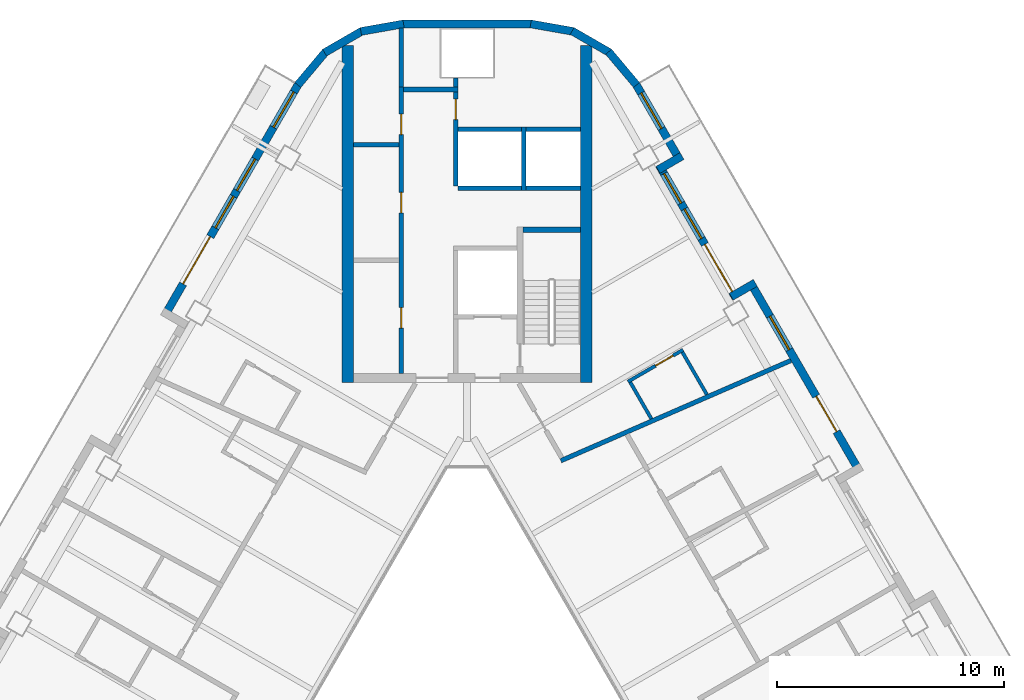
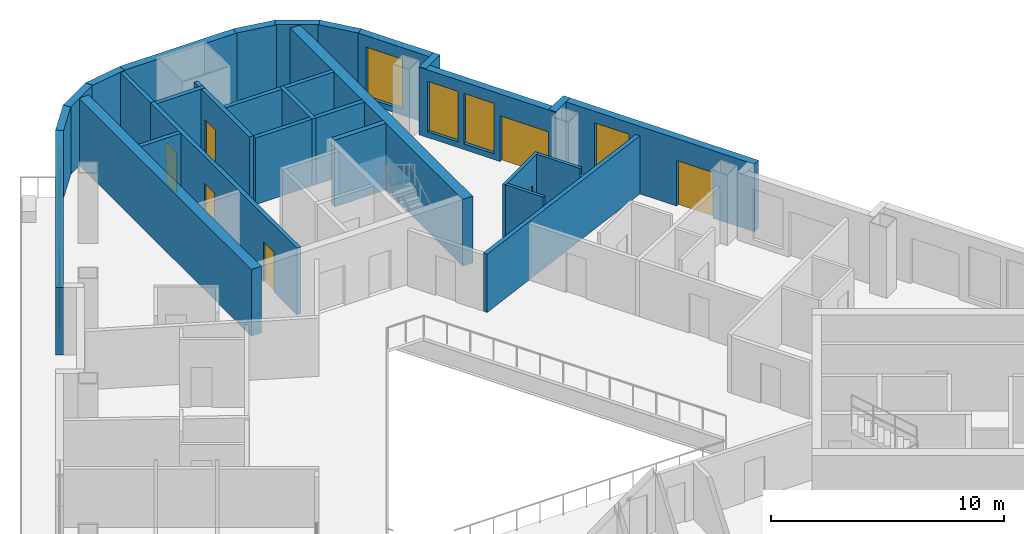
# One storey, part 7 of 14: 31 walls, 8 doors, 7 windows, 15 openings.
"""IFC4 building model written with IfcOpenShell, lengths in metres."""

from ifc_helpers import new_model, si_unit, direction, frame, frame_2d, origin, place, context, subcontext, project, spatial, rectangle, extrude, material, layer, layer_set, type_object, element, fill, save


model = new_model("IFC4")

# Units and contexts
model_context = context("Model", 3, precision=1e-05, world=origin(), true_north=direction((0.0, 1.0)))
body_context = subcontext(model_context, "Body", "Model", "MODEL_VIEW")
ifc_project = project(units=[si_unit("LENGTHUNIT", "METRE"), si_unit("AREAUNIT", "SQUARE_METRE"), si_unit("VOLUMEUNIT", "CUBIC_METRE"), si_unit("PLANEANGLEUNIT", "RADIAN"), si_unit("MASSUNIT", "GRAM", prefix="KILO")], contexts=[model_context])

# Site, building, storey
site_placement = place(None, origin())
site = spatial("IfcSite", under=ifc_project, at=site_placement, CompositionType="ELEMENT")
building_placement = place(site_placement, origin())
building = spatial("IfcBuilding", under=site, at=building_placement, Name="Apuvela Tower Hotel", CompositionType="ELEMENT")
storey_placement = place(building_placement, frame((0.0, 0.0, 157.699951171875)))
storey = spatial("IfcBuildingStorey", under=building, at=storey_placement, Name="L37", CompositionType="ELEMENT", Elevation=157.699951171875)

# Walls
ifc_material_1 = material(Name="Concrete C50/60", Category="concrete")
ifc_layer_1 = layer(ifc_material_1, 0.5)
ifc_layer_set_1 = layer_set([ifc_layer_1], Name="COR-WALL-CORE-500")
wall_type_1 = type_object("IfcWallType", Name="COR-WALL-CORE-500", PredefinedType="SHEAR", material=ifc_layer_set_1)
for number, where, z_axis, x_axis, name in (
    (1, (5.25, 12.89990234375, 0.0), (0.0, 0.0, 1.0), (0.0, 1.0, 0.0), "Core wall N"),
    (2, (-5.25, 12.89990234375, 0.0), (0.0, 0.0, 1.0), (0.0, 1.0, 0.0), "Core wall N"),
):
    element("IfcWall", number, at=place(storey_placement, frame(where, z_axis=z_axis, x_axis=x_axis)), inside=storey, type_object=wall_type_1, Name=name, PredefinedType="SHEAR", context=body_context, shape_type="SweptSolid", body=[
        extrude(rectangle(XDim=14.8369140625, YDim=0.5, at=frame_2d((7.41845703125, 0.0))), origin(), (0.0, 0.0, 1.0), 3.5),
    ])
ifc_material_2 = material(Name="Blockwork 200 mm plastered", Category="masonry")
ifc_layer_2 = layer(ifc_material_2, 0.199951171875)
ifc_layer_set_2 = layer_set([ifc_layer_2], Name="COR-WALL-PART-200")
wall_type_2 = type_object("IfcWallType", Name="COR-WALL-PART-200", PredefinedType="PARTITIONING", material=ifc_layer_set_2)
wall_1_placement = place(storey_placement, frame((5.0, 21.449951171875, 0.0), z_axis=(0.0, 0.0, 1.0), x_axis=(-1.0, 0.0, 0.0)))
element("IfcWall", 3, at=wall_1_placement, inside=storey, type_object=wall_type_2, Name="Partition N", PredefinedType="PARTITIONING", context=body_context, shape_type="SweptSolid", body=[
    extrude(rectangle(XDim=2.39990234375, YDim=0.199951171875, at=frame_2d((1.199951171875, 0.0))), origin(), (0.0, 0.0, 1.0), 3.5),
])
wall_2_placement = place(storey_placement, frame((2.39990234375, 21.449951171875, 0.0), z_axis=(0.0, 0.0, 1.0), x_axis=(-1.0, 0.0, 0.0)))
element("IfcWall", 4, at=wall_2_placement, inside=storey, type_object=wall_type_2, Name="Partition N", PredefinedType="PARTITIONING", context=body_context, shape_type="SweptSolid", body=[
    extrude(rectangle(XDim=2.7998046875, YDim=0.199951171875, at=frame_2d((1.39990234375, 0.0))), origin(), (0.0, 0.0, 1.0), 3.5),
])

# Wall, openings, doors
ifc_layer_3 = layer(ifc_material_1, 0.199951171875)
ifc_layer_set_3 = layer_set([ifc_layer_3], Name="COR-WALL-SHAFT-200")
wall_type_3 = type_object("IfcWallType", Name="COR-WALL-SHAFT-200", PredefinedType="SHEAR", material=ifc_layer_set_3)
wall_3_placement = place(storey_placement, frame((-2.89990234375, 13.300048828125, 0.0), z_axis=(0.0, 0.0, 1.0), x_axis=(0.0, 1.0, 0.0)))
wall_3 = element("IfcWall", 5, at=wall_3_placement, inside=storey, type_object=wall_type_3, Name="Shaft wall N", PredefinedType="SHEAR", context=body_context, shape_type="SweptSolid", body=[
    extrude(rectangle(XDim=12.599853515625, YDim=0.199951171875, at=frame_2d((6.2998046875, 0.0))), origin(), (0.0, 0.0, 1.0), 3.5),
])
opening_1_placement = place(wall_3_placement, frame((1.989990234375, 0.0, 0.0)))
opening_1 = element("IfcOpeningElement", 6, at=opening_1_placement, cuts=wall_3, Name="Opening N-RE1", PredefinedType="OPENING", context=body_context, shape_type="SweptSolid", body=[
    extrude(rectangle(XDim=0.89990234375, YDim=2.10009765625, at=frame_2d((0.449951171875, 1.050048828125))), frame((0.0, 0.10986328125, 0.0), z_axis=(0.0, -1.0, 0.0), x_axis=(1.0, 0.0, 0.0)), (0.0, 0.0, 1.0), 0.219970703125),
])
opening_2_placement = place(wall_3_placement, frame((7.070068359375, 0.0, 0.0)))
opening_2 = element("IfcOpeningElement", 7, at=opening_2_placement, cuts=wall_3, Name="Opening N-RE3", PredefinedType="OPENING", context=body_context, shape_type="SweptSolid", body=[
    extrude(rectangle(XDim=0.89990234375, YDim=2.10009765625, at=frame_2d((0.449951171875, 1.050048828125))), frame((0.0, 0.10986328125, 0.0), z_axis=(0.0, -1.0, 0.0), x_axis=(1.0, 0.0, 0.0)), (0.0, 0.0, 1.0), 0.219970703125),
])
opening_3_placement = place(wall_3_placement, frame((10.510009765625, 0.0, 0.0)))
opening_3 = element("IfcOpeningElement", 8, at=opening_3_placement, cuts=wall_3, Name="Opening N-REP", PredefinedType="OPENING", context=body_context, shape_type="SweptSolid", body=[
    extrude(rectangle(XDim=0.89990234375, YDim=2.10009765625, at=frame_2d((0.449951171875, 1.050048828125))), frame((0.0, 0.10986328125, 0.0), z_axis=(0.0, -1.0, 0.0), x_axis=(1.0, 0.0, 0.0)), (0.0, 0.0, 1.0), 0.219970703125),
])
ifc_material_3 = material(Name="Steel fire door, powder coated", Category="steel")
door_type_1 = type_object("IfcDoorType", Name="COR-DR-900", OperationType="NOTDEFINED", PredefinedType="DOOR", material=ifc_material_3)
door_1_placement = place(opening_1_placement, origin())
door_1 = element("IfcDoor", 9, at=door_1_placement, inside=storey, type_object=door_type_1, Name="Store door N-RE1", OperationType="SINGLE_SWING_LEFT", OverallHeight=2.10009765625, OverallWidth=0.89990234375, PredefinedType="DOOR", context=body_context, shape_type="SweptSolid", body=[
    extrude(rectangle(XDim=0.89990234375, YDim=2.10009765625, at=frame_2d((0.449951171875, 1.050048828125))), frame((0.0, 0.02490234375, 0.0), z_axis=(0.0, -1.0, 0.0), x_axis=(1.0, 0.0, 0.0)), (0.0, 0.0, 1.0), 0.050048828125),
])
fill(opening_1, door_1)
door_2_placement = place(opening_2_placement, origin())
door_2 = element("IfcDoor", 10, at=door_2_placement, inside=storey, type_object=door_type_1, Name="Store door N-RE3", OperationType="SINGLE_SWING_LEFT", OverallHeight=2.10009765625, OverallWidth=0.89990234375, PredefinedType="DOOR", context=body_context, shape_type="SweptSolid", body=[
    extrude(rectangle(XDim=0.89990234375, YDim=2.10009765625, at=frame_2d((0.449951171875, 1.050048828125))), frame((0.0, 0.02490234375, 0.0), z_axis=(0.0, -1.0, 0.0), x_axis=(1.0, 0.0, 0.0)), (0.0, 0.0, 1.0), 0.050048828125),
])
fill(opening_2, door_2)
door_3_placement = place(opening_3_placement, origin())
door_3 = element("IfcDoor", 11, at=door_3_placement, inside=storey, type_object=door_type_1, Name="Store door N-REP", OperationType="SINGLE_SWING_RIGHT", OverallHeight=2.10009765625, OverallWidth=0.89990234375, PredefinedType="DOOR", context=body_context, shape_type="SweptSolid", body=[
    extrude(rectangle(XDim=0.89990234375, YDim=2.10009765625, at=frame_2d((0.449951171875, 1.050048828125))), frame((0.0, 0.02490234375, 0.0), z_axis=(0.0, -1.0, 0.0), x_axis=(1.0, 0.0, 0.0)), (0.0, 0.0, 1.0), 0.050048828125),
])
fill(opening_3, door_3)

# Wall
wall_4_placement = place(storey_placement, frame((-0.39990234375, 25.800048828125, 0.0), z_axis=(0.0, 0.0, 1.0), x_axis=(-1.0, 0.0, 0.0)))
element("IfcWall", 12, at=wall_4_placement, inside=storey, type_object=wall_type_3, Name="Shaft wall N", PredefinedType="SHEAR", context=body_context, shape_type="SweptSolid", body=[
    extrude(rectangle(XDim=2.400146484375, YDim=0.199951171875, at=frame_2d((1.2001953125, 0.0))), origin(), (0.0, 0.0, 1.0), 3.5),
])

# Wall, opening, door
wall_5_placement = place(storey_placement, frame((-0.5, 21.550048828125, 0.0), z_axis=(0.0, 0.0, 1.0), x_axis=(0.0, 1.0, 0.0)))
wall_5 = element("IfcWall", 13, at=wall_5_placement, inside=storey, type_object=wall_type_3, Name="Shaft wall N", PredefinedType="SHEAR", context=body_context, shape_type="SweptSolid", body=[
    extrude(rectangle(XDim=4.14990234375, YDim=0.199951171875, at=frame_2d((2.074951171875, 0.0))), origin(), (0.0, 0.0, 1.0), 3.5),
])
opening_4_placement = place(wall_5_placement, frame((2.925048828125, 0.0, 0.0)))
opening_4 = element("IfcOpeningElement", 14, at=opening_4_placement, cuts=wall_5, Name="Opening N-RSP", PredefinedType="OPENING", context=body_context, shape_type="SweptSolid", body=[
    extrude(rectangle(XDim=0.89990234375, YDim=2.10009765625, at=frame_2d((0.449951171875, 1.050048828125))), frame((0.0, 0.10986328125, 0.0), z_axis=(0.0, -1.0, 0.0), x_axis=(1.0, 0.0, 0.0)), (0.0, 0.0, 1.0), 0.219970703125),
])
door_4_placement = place(opening_4_placement, frame((0.89990234375, 0.0, 0.0), z_axis=(0.0, 0.0, 1.0), x_axis=(-1.0, 0.0, 0.0)))
door_4 = element("IfcDoor", 15, at=door_4_placement, inside=storey, type_object=door_type_1, Name="Store door N-RSP", OperationType="SINGLE_SWING_LEFT", OverallHeight=2.10009765625, OverallWidth=0.89990234375, PredefinedType="DOOR", context=body_context, shape_type="SweptSolid", body=[
    extrude(rectangle(XDim=0.89990234375, YDim=2.10009765625, at=frame_2d((0.449951171875, 1.050048828125))), frame((0.0, 0.02490234375, 0.0), z_axis=(0.0, -1.0, 0.0), x_axis=(1.0, 0.0, 0.0)), (0.0, 0.0, 1.0), 0.050048828125),
])
fill(opening_4, door_4)

# Walls
wall_6_placement = place(storey_placement, frame((-3.0, 23.360107421875, 0.0), z_axis=(0.0, 0.0, 1.0), x_axis=(-1.0, 0.0, 0.0)))
element("IfcWall", 16, at=wall_6_placement, inside=storey, type_object=wall_type_3, Name="Shaft wall N", PredefinedType="SHEAR", context=body_context, shape_type="SweptSolid", body=[
    extrude(rectangle(XDim=2.0, YDim=0.199951171875, at=frame_2d((1.0, 0.0))), origin(), (0.0, 0.0, 1.0), 3.5),
])
wall_7_placement = place(storey_placement, frame((-0.5, 25.89990234375, 0.0), z_axis=(0.0, 0.0, 1.0), x_axis=(0.0, 1.0, 0.0)))
element("IfcWall", 17, at=wall_7_placement, inside=storey, type_object=wall_type_3, Name="Shaft wall N", PredefinedType="SHEAR", context=body_context, shape_type="SweptSolid", body=[
    extrude(rectangle(XDim=0.400146484375, YDim=0.199951171875, at=frame_2d((0.2001953125, 0.0))), origin(), (0.0, 0.0, 1.0), 3.5),
])
wall_8_placement = place(storey_placement, frame((-2.89990234375, 25.89990234375, 0.0), z_axis=(0.0, 0.0, 1.0), x_axis=(0.0, 1.0, 0.0)))
element("IfcWall", 18, at=wall_8_placement, inside=storey, type_object=wall_type_3, Name="Shaft wall N", PredefinedType="SHEAR", context=body_context, shape_type="SweptSolid", body=[
    extrude(rectangle(XDim=2.60009765625, YDim=0.199951171875, at=frame_2d((1.300048828125, 0.0))), origin(), (0.0, 0.0, 1.0), 3.5),
])
wall_9_placement = place(storey_placement, frame((2.5, 21.35009765625, 0.0), z_axis=(0.0, 0.0, 1.0), x_axis=(0.0, 1.0, 0.0)))
element("IfcWall", 19, at=wall_9_placement, inside=storey, type_object=wall_type_3, Name="Shaft wall N", PredefinedType="SHEAR", context=body_context, shape_type="SweptSolid", body=[
    extrude(rectangle(XDim=2.7998046875, YDim=0.199951171875, at=frame_2d((1.39990234375, 0.0))), origin(), (0.0, 0.0, 1.0), 3.5),
])
wall_10_placement = place(storey_placement, frame((5.0, 24.050048828125, 0.0), z_axis=(0.0, 0.0, 1.0), x_axis=(-1.0, 0.0, 0.0)))
element("IfcWall", 20, at=wall_10_placement, inside=storey, type_object=wall_type_3, Name="Shaft wall N", PredefinedType="SHEAR", context=body_context, shape_type="SweptSolid", body=[
    extrude(rectangle(XDim=2.39990234375, YDim=0.199951171875, at=frame_2d((1.199951171875, 0.0))), origin(), (0.0, 0.0, 1.0), 3.5),
])
wall_11_placement = place(storey_placement, frame((2.39990234375, 24.050048828125, 0.0), z_axis=(0.0, 0.0, 1.0), x_axis=(-1.0, 0.0, 0.0)))
element("IfcWall", 21, at=wall_11_placement, inside=storey, type_object=wall_type_3, Name="Shaft wall N", PredefinedType="SHEAR", context=body_context, shape_type="SweptSolid", body=[
    extrude(rectangle(XDim=2.7998046875, YDim=0.199951171875, at=frame_2d((1.39990234375, 0.0))), origin(), (0.0, 0.0, 1.0), 3.5),
])
ifc_layer_4 = layer(ifc_material_1, 0.25)
ifc_layer_set_4 = layer_set([ifc_layer_4], Name="COR-WALL-STAIR-250")
wall_type_4 = type_object("IfcWallType", Name="COR-WALL-STAIR-250", PredefinedType="SHEAR", material=ifc_layer_set_4)
wall_12_placement = place(storey_placement, frame((5.0, 19.625, 0.0), z_axis=(0.0, 0.0, 1.0), x_axis=(-1.0, 0.0, 0.0)))
element("IfcWall", 22, at=wall_12_placement, inside=storey, type_object=wall_type_4, Name="Stair wall N", PredefinedType="SHEAR", context=body_context, shape_type="SweptSolid", body=[
    extrude(rectangle(XDim=2.550048828125, YDim=0.25, at=frame_2d((1.27490234375, 0.0))), origin(), (0.0, 0.0, 1.0), 3.5),
])

# Wall, openings, door, windows
ifc_material_4 = material(Name="Concrete C40/50, dark pigmented precast panel", Category="concrete")
ifc_layer_5 = layer(ifc_material_4, 0.35009765625)
ifc_layer_set_5 = layer_set([ifc_layer_5], Name="ENV-WALL-350")
wall_type_5 = type_object("IfcWallType", Name="ENV-WALL-350", PredefinedType="SOLIDWALL", material=ifc_layer_set_5)
wall_13_placement = place(storey_placement, frame((-7.440673828125, 26.0224609375, 0.0), z_axis=(0.0, 0.0, 1.0), x_axis=(-0.499992533062, -0.86602971478, 0.0)))
wall_13 = element("IfcWall", 23, at=wall_13_placement, inside=storey, type_object=wall_type_5, Name="External wall L37-01", PredefinedType="SOLIDWALL", context=body_context, shape_type="SweptSolid", body=[
    extrude(rectangle(XDim=11.815673828125, YDim=0.35009765625, at=frame_2d((5.90771484375, 0.0))), origin(), (0.0, 0.0, 1.0), 3.550048828125),
])
opening_5_placement = place(wall_13_placement, frame((0.381103515625, 0.0, 0.300048828125)))
opening_5 = element("IfcOpeningElement", 24, at=opening_5_placement, cuts=wall_13, Name="Opening WN18", PredefinedType="OPENING", context=body_context, shape_type="SweptSolid", body=[
    extrude(rectangle(XDim=1.800048828125, YDim=2.64990234375, at=frame_2d((0.89990234375, 1.324951171875))), frame((0.0, 0.18505859375, 0.0), z_axis=(0.0, -1.0, 0.0), x_axis=(1.0, 0.0, 0.0)), (0.0, 0.0, 1.0), 0.3701171875),
])
opening_6_placement = place(wall_13_placement, frame((7.740478515625, 0.0, 0.0)))
opening_6 = element("IfcOpeningElement", 25, at=opening_6_placement, cuts=wall_13, Name="Opening BD24", PredefinedType="OPENING", context=body_context, shape_type="SweptSolid", body=[
    extrude(rectangle(XDim=2.39990234375, YDim=2.39990234375, at=frame_2d((1.199951171875, 1.199951171875))), frame((0.0, 0.18505859375, 0.0), z_axis=(0.0, -1.0, 0.0), x_axis=(1.0, 0.0, 0.0)), (0.0, 0.0, 1.0), 0.3701171875),
])
opening_7_placement = place(wall_13_placement, frame((3.791015625, 0.0, 0.300048828125)))
opening_7 = element("IfcOpeningElement", 26, at=opening_7_placement, cuts=wall_13, Name="Opening WN16", PredefinedType="OPENING", context=body_context, shape_type="SweptSolid", body=[
    extrude(rectangle(XDim=1.60009765625, YDim=2.64990234375, at=frame_2d((0.800048828125, 1.324951171875))), frame((0.0, 0.18505859375, 0.0), z_axis=(0.0, -1.0, 0.0), x_axis=(1.0, 0.0, 0.0)), (0.0, 0.0, 1.0), 0.3701171875),
])
opening_8_placement = place(wall_13_placement, frame((5.69091796875, 0.0, 0.300048828125)))
opening_8 = element("IfcOpeningElement", 27, at=opening_8_placement, cuts=wall_13, Name="Opening WN16", PredefinedType="OPENING", context=body_context, shape_type="SweptSolid", body=[
    extrude(rectangle(XDim=1.60009765625, YDim=2.64990234375, at=frame_2d((0.800048828125, 1.324951171875))), frame((0.0, 0.18505859375, 0.0), z_axis=(0.0, -1.0, 0.0), x_axis=(1.0, 0.0, 0.0)), (0.0, 0.0, 1.0), 0.3701171875),
])
ifc_material_5 = material(Name="Aluminium 6063-T6, dark bronze anodised frame with dark tinted laminated glass", Category="aluminium")
door_type_2 = type_object("IfcDoorType", Name="ENV-DOOR-BALCONY-2400x2400", OperationType="SLIDING_TO_LEFT", PredefinedType="DOOR", material=ifc_material_5)
door_5_placement = place(opening_6_placement, frame((2.39990234375, 0.0, 0.0), z_axis=(0.0, 0.0, 1.0), x_axis=(-1.0, 0.0, 0.0)))
door_5 = element("IfcDoor", 28, at=door_5_placement, inside=storey, type_object=door_type_2, Name="Balcony door BD24", OperationType="SLIDING_TO_LEFT", OverallHeight=2.39990234375, OverallWidth=2.39990234375, PredefinedType="DOOR", context=body_context, shape_type="SweptSolid", body=[
    extrude(rectangle(XDim=2.39990234375, YDim=2.39990234375, at=frame_2d((1.199951171875, 1.199951171875))), frame((0.0, 0.02490234375, 0.0), z_axis=(0.0, -1.0, 0.0), x_axis=(1.0, 0.0, 0.0)), (0.0, 0.0, 1.0), 0.050048828125),
])
fill(opening_6, door_5)
ifc_material_6 = material(Name="Glass, dark tinted laminated insulated glazing unit", Category="glass")
window_type_1 = type_object("IfcWindowType", Name="ENV-WIN-1600x2650", PartitioningType="SINGLE_PANEL", PredefinedType="WINDOW", material=ifc_material_6)
window_1_placement = place(opening_7_placement, origin())
window_1 = element("IfcWindow", 29, at=window_1_placement, inside=storey, type_object=window_type_1, Name="Window WN16", OverallHeight=2.64990234375, OverallWidth=1.60009765625, PartitioningType="SINGLE_PANEL", PredefinedType="WINDOW", context=body_context, shape_type="SweptSolid", body=[
    extrude(rectangle(XDim=1.60009765625, YDim=2.64990234375, at=frame_2d((0.800048828125, 1.324951171875))), frame((0.0, 0.030029296875, 0.0), z_axis=(0.0, -1.0, 0.0), x_axis=(1.0, 0.0, 0.0)), (0.0, 0.0, 1.0), 0.06005859375),
])
fill(opening_7, window_1)
window_2_placement = place(opening_8_placement, origin())
window_2 = element("IfcWindow", 30, at=window_2_placement, inside=storey, type_object=window_type_1, Name="Window WN16", OverallHeight=2.64990234375, OverallWidth=1.60009765625, PartitioningType="SINGLE_PANEL", PredefinedType="WINDOW", context=body_context, shape_type="SweptSolid", body=[
    extrude(rectangle(XDim=1.60009765625, YDim=2.64990234375, at=frame_2d((0.800048828125, 1.324951171875))), frame((0.0, 0.030029296875, 0.0), z_axis=(0.0, -1.0, 0.0), x_axis=(1.0, 0.0, 0.0)), (0.0, 0.0, 1.0), 0.06005859375),
])
fill(opening_8, window_2)
window_type_2 = type_object("IfcWindowType", Name="ENV-WIN-1800x2650", PartitioningType="SINGLE_PANEL", PredefinedType="WINDOW", material=ifc_material_6)
window_3_placement = place(opening_5_placement, origin())
window_3 = element("IfcWindow", 31, at=window_3_placement, inside=storey, type_object=window_type_2, Name="Window WN18", OverallHeight=2.64990234375, OverallWidth=1.800048828125, PartitioningType="SINGLE_PANEL", PredefinedType="WINDOW", context=body_context, shape_type="SweptSolid", body=[
    extrude(rectangle(XDim=1.800048828125, YDim=2.64990234375, at=frame_2d((0.89990234375, 1.324951171875))), frame((0.0, 0.030029296875, 0.0), z_axis=(0.0, -1.0, 0.0), x_axis=(1.0, 0.0, 0.0)), (0.0, 0.0, 1.0), 0.06005859375),
])
fill(opening_5, window_3)

# Wall, openings, door, window
wall_14_placement = place(storey_placement, frame((17.298583984375, 8.947998046875, 0.0), z_axis=(0.0, 0.0, 1.0), x_axis=(-0.500010041276, 0.866019606374, 0.0)))
wall_14 = element("IfcWall", 32, at=wall_14_placement, inside=storey, type_object=wall_type_5, Name="External wall L37-37", PredefinedType="SOLIDWALL", context=body_context, shape_type="SweptSolid", body=[
    extrude(rectangle(XDim=9.699951171875, YDim=0.35009765625, at=frame_2d((4.85009765625, 0.0))), origin(), (0.0, 0.0, 1.0), 3.550048828125),
])
opening_9_placement = place(wall_14_placement, frame((2.06201171875, 0.0, 0.0)))
opening_9 = element("IfcOpeningElement", 33, at=opening_9_placement, cuts=wall_14, Name="Opening BD18", PredefinedType="OPENING", context=body_context, shape_type="SweptSolid", body=[
    extrude(rectangle(XDim=1.800048828125, YDim=2.39990234375, at=frame_2d((0.89990234375, 1.199951171875))), frame((0.0, 0.18505859375, 0.0), z_axis=(0.0, -1.0, 0.0), x_axis=(1.0, 0.0, 0.0)), (0.0, 0.0, 1.0), 0.3701171875),
])
opening_10_placement = place(wall_14_placement, frame((6.230224609375, 0.0, 0.300048828125)))
opening_10 = element("IfcOpeningElement", 34, at=opening_10_placement, cuts=wall_14, Name="Opening WN17", PredefinedType="OPENING", context=body_context, shape_type="SweptSolid", body=[
    extrude(rectangle(XDim=1.699951171875, YDim=2.64990234375, at=frame_2d((0.85009765625, 1.324951171875))), frame((0.0, 0.18505859375, 0.0), z_axis=(0.0, -1.0, 0.0), x_axis=(1.0, 0.0, 0.0)), (0.0, 0.0, 1.0), 0.3701171875),
])
door_type_3 = type_object("IfcDoorType", Name="ENV-DOOR-BALCONY-1800x2400", OperationType="SLIDING_TO_LEFT", PredefinedType="DOOR", material=ifc_material_5)
door_6_placement = place(opening_9_placement, frame((1.800048828125, 0.0, 0.0), z_axis=(0.0, 0.0, 1.0), x_axis=(-1.0, 0.0, 0.0)))
door_6 = element("IfcDoor", 35, at=door_6_placement, inside=storey, type_object=door_type_3, Name="Balcony door BD18", OperationType="SLIDING_TO_LEFT", OverallHeight=2.39990234375, OverallWidth=1.800048828125, PredefinedType="DOOR", context=body_context, shape_type="SweptSolid", body=[
    extrude(rectangle(XDim=1.800048828125, YDim=2.39990234375, at=frame_2d((0.89990234375, 1.199951171875))), frame((0.0, 0.02490234375, 0.0), z_axis=(0.0, -1.0, 0.0), x_axis=(1.0, 0.0, 0.0)), (0.0, 0.0, 1.0), 0.050048828125),
])
fill(opening_9, door_6)
window_type_3 = type_object("IfcWindowType", Name="ENV-WIN-1700x2650", PartitioningType="SINGLE_PANEL", PredefinedType="WINDOW", material=ifc_material_6)
window_4_placement = place(opening_10_placement, origin())
window_4 = element("IfcWindow", 36, at=window_4_placement, inside=storey, type_object=window_type_3, Name="Window WN17", OverallHeight=2.64990234375, OverallWidth=1.699951171875, PartitioningType="SINGLE_PANEL", PredefinedType="WINDOW", context=body_context, shape_type="SweptSolid", body=[
    extrude(rectangle(XDim=1.699951171875, YDim=2.64990234375, at=frame_2d((0.85009765625, 1.324951171875))), frame((0.0, 0.030029296875, 0.0), z_axis=(0.0, -1.0, 0.0), x_axis=(1.0, 0.0, 0.0)), (0.0, 0.0, 1.0), 0.06005859375),
])
fill(opening_10, window_4)

# Wall
wall_15_placement = place(storey_placement, frame((12.6875, 17.284423828125, 0.0), z_axis=(0.0, 0.0, 1.0), x_axis=(-0.865955602162, -0.500120880472, 0.0)))
element("IfcWall", 37, at=wall_15_placement, inside=storey, type_object=wall_type_5, Name="External wall L37-38", PredefinedType="SOLIDWALL", context=body_context, shape_type="SweptSolid", body=[
    extrude(rectangle(XDim=1.219970703125, YDim=0.35009765625, at=frame_2d((0.60986328125, 0.0))), origin(), (0.0, 0.0, 1.0), 3.550048828125),
])

# Wall, openings, door, windows
wall_16_placement = place(storey_placement, frame((11.8291015625, 16.621337890625, 0.0), z_axis=(0.0, 0.0, 1.0), x_axis=(-0.500003597184, 0.866023326939, 0.0)))
wall_16 = element("IfcWall", 38, at=wall_16_placement, inside=storey, type_object=wall_type_5, Name="External wall L37-39", PredefinedType="SOLIDWALL", context=body_context, shape_type="SweptSolid", body=[
    extrude(rectangle(XDim=6.740234375, YDim=0.35009765625, at=frame_2d((3.3701171875, 0.0))), origin(), (0.0, 0.0, 1.0), 3.550048828125),
])
opening_11_placement = place(wall_16_placement, frame((0.320068359375, 0.0, 0.0)))
opening_11 = element("IfcOpeningElement", 39, at=opening_11_placement, cuts=wall_16, Name="Opening BD24", PredefinedType="OPENING", context=body_context, shape_type="SweptSolid", body=[
    extrude(rectangle(XDim=2.39990234375, YDim=2.39990234375, at=frame_2d((1.199951171875, 1.199951171875))), frame((0.0, 0.18505859375, 0.0), z_axis=(0.0, -1.0, 0.0), x_axis=(1.0, 0.0, 0.0)), (0.0, 0.0, 1.0), 0.3701171875),
])
opening_12_placement = place(wall_16_placement, frame((3.02001953125, 0.0, 0.300048828125)))
opening_12 = element("IfcOpeningElement", 40, at=opening_12_placement, cuts=wall_16, Name="Opening WN15", PredefinedType="OPENING", context=body_context, shape_type="SweptSolid", body=[
    extrude(rectangle(XDim=1.5, YDim=2.64990234375, at=frame_2d((0.75, 1.324951171875))), frame((0.0, 0.18505859375, 0.0), z_axis=(0.0, -1.0, 0.0), x_axis=(1.0, 0.0, 0.0)), (0.0, 0.0, 1.0), 0.3701171875),
])
opening_13_placement = place(wall_16_placement, frame((4.820068359375, 0.0, 0.300048828125)))
opening_13 = element("IfcOpeningElement", 41, at=opening_13_placement, cuts=wall_16, Name="Opening WN15", PredefinedType="OPENING", context=body_context, shape_type="SweptSolid", body=[
    extrude(rectangle(XDim=1.5, YDim=2.64990234375, at=frame_2d((0.75, 1.324951171875))), frame((0.0, 0.18505859375, 0.0), z_axis=(0.0, -1.0, 0.0), x_axis=(1.0, 0.0, 0.0)), (0.0, 0.0, 1.0), 0.3701171875),
])
door_7_placement = place(opening_11_placement, frame((2.39990234375, 0.0, 0.0), z_axis=(0.0, 0.0, 1.0), x_axis=(-1.0, 0.0, 0.0)))
door_7 = element("IfcDoor", 42, at=door_7_placement, inside=storey, type_object=door_type_2, Name="Balcony door BD24", OperationType="SLIDING_TO_LEFT", OverallHeight=2.39990234375, OverallWidth=2.39990234375, PredefinedType="DOOR", context=body_context, shape_type="SweptSolid", body=[
    extrude(rectangle(XDim=2.39990234375, YDim=2.39990234375, at=frame_2d((1.199951171875, 1.199951171875))), frame((0.0, 0.02490234375, 0.0), z_axis=(0.0, -1.0, 0.0), x_axis=(1.0, 0.0, 0.0)), (0.0, 0.0, 1.0), 0.050048828125),
])
fill(opening_11, door_7)
window_type_4 = type_object("IfcWindowType", Name="ENV-WIN-1500x2650", PartitioningType="SINGLE_PANEL", PredefinedType="WINDOW", material=ifc_material_6)
window_5_placement = place(opening_12_placement, origin())
window_5 = element("IfcWindow", 43, at=window_5_placement, inside=storey, type_object=window_type_4, Name="Window WN15", OverallHeight=2.64990234375, OverallWidth=1.5, PartitioningType="SINGLE_PANEL", PredefinedType="WINDOW", context=body_context, shape_type="SweptSolid", body=[
    extrude(rectangle(XDim=1.5, YDim=2.64990234375, at=frame_2d((0.75, 1.324951171875))), frame((0.0, 0.030029296875, 0.0), z_axis=(0.0, -1.0, 0.0), x_axis=(1.0, 0.0, 0.0)), (0.0, 0.0, 1.0), 0.06005859375),
])
fill(opening_12, window_5)
window_6_placement = place(opening_13_placement, origin())
window_6 = element("IfcWindow", 44, at=window_6_placement, inside=storey, type_object=window_type_4, Name="Window WN15", OverallHeight=2.64990234375, OverallWidth=1.5, PartitioningType="SINGLE_PANEL", PredefinedType="WINDOW", context=body_context, shape_type="SweptSolid", body=[
    extrude(rectangle(XDim=1.5, YDim=2.64990234375, at=frame_2d((0.75, 1.324951171875))), frame((0.0, 0.030029296875, 0.0), z_axis=(0.0, -1.0, 0.0), x_axis=(1.0, 0.0, 0.0)), (0.0, 0.0, 1.0), 0.06005859375),
])
fill(opening_13, window_6)

# Wall
wall_17_placement = place(storey_placement, frame((8.406005859375, 22.26025390625, 0.0), z_axis=(0.0, 0.0, 1.0), x_axis=(0.865955602162, 0.500120880472, 0.0)))
element("IfcWall", 45, at=wall_17_placement, inside=storey, type_object=wall_type_5, Name="External wall L37-40", PredefinedType="SOLIDWALL", context=body_context, shape_type="SweptSolid", body=[
    extrude(rectangle(XDim=1.219970703125, YDim=0.35009765625, at=frame_2d((0.60986328125, 0.0))), origin(), (0.0, 0.0, 1.0), 3.550048828125),
])

# Wall, opening, window
wall_18_placement = place(storey_placement, frame((9.3984375, 22.631103515625, 0.0), z_axis=(0.0, 0.0, 1.0), x_axis=(-0.499954521343, 0.866051659307, 0.0)))
wall_18 = element("IfcWall", 46, at=wall_18_placement, inside=storey, type_object=wall_type_5, Name="External wall L37-41", PredefinedType="SOLIDWALL", context=body_context, shape_type="SweptSolid", body=[
    extrude(rectangle(XDim=3.915771484375, YDim=0.35009765625, at=frame_2d((1.9580078125, 0.0))), origin(), (0.0, 0.0, 1.0), 3.550048828125),
])
opening_14_placement = place(wall_18_placement, frame((1.67529296875, 0.0, 0.300048828125)))
opening_14 = element("IfcOpeningElement", 47, at=opening_14_placement, cuts=wall_18, Name="Opening WN18", PredefinedType="OPENING", context=body_context, shape_type="SweptSolid", body=[
    extrude(rectangle(XDim=1.800048828125, YDim=2.64990234375, at=frame_2d((0.89990234375, 1.324951171875))), frame((0.0, 0.18505859375, 0.0), z_axis=(0.0, -1.0, 0.0), x_axis=(1.0, 0.0, 0.0)), (0.0, 0.0, 1.0), 0.3701171875),
])
window_7_placement = place(opening_14_placement, origin())
window_7 = element("IfcWindow", 48, at=window_7_placement, inside=storey, type_object=window_type_2, Name="Window WN18", OverallHeight=2.64990234375, OverallWidth=1.800048828125, PartitioningType="SINGLE_PANEL", PredefinedType="WINDOW", context=body_context, shape_type="SweptSolid", body=[
    extrude(rectangle(XDim=1.800048828125, YDim=2.64990234375, at=frame_2d((0.89990234375, 1.324951171875))), frame((0.0, 0.030029296875, 0.0), z_axis=(0.0, -1.0, 0.0), x_axis=(1.0, 0.0, 0.0)), (0.0, 0.0, 1.0), 0.06005859375),
])
fill(opening_14, window_7)

# Walls
wall_19_placement = place(storey_placement, frame((7.4580078125, 25.99755859375, 0.0), z_axis=(0.0, 0.0, 1.0), x_axis=(-0.642808304945, 0.766027077259, 0.0)))
element("IfcWall", 49, at=wall_19_placement, inside=storey, type_object=wall_type_5, Name="External wall L37-42", PredefinedType="SOLIDWALL", context=body_context, shape_type="SweptSolid", body=[
    extrude(rectangle(XDim=1.909912109375, YDim=0.35009765625, at=frame_2d((0.955078125, 0.0))), origin(), (0.0, 0.0, 1.0), 3.550048828125),
])
for number, where, z_axis, x_axis, name in (
    (50, (6.27685546875, 27.421630859375, 0.0), (0.0, 0.0, 1.0), (-0.866032345022, 0.499987977232, 0.0), "External wall L37-43"),
    (51, (4.6796875, 28.35595703125, 0.0), (0.0, 0.0, 1.0), (-0.984798995425, 0.173697837091, 0.0), "External wall L37-44"),
):
    element("IfcWall", number, at=place(storey_placement, frame(where, z_axis=z_axis, x_axis=x_axis)), inside=storey, type_object=wall_type_5, Name=name, PredefinedType="SOLIDWALL", context=body_context, shape_type="SweptSolid", body=[
        extrude(rectangle(XDim=1.91015625, YDim=0.35009765625, at=frame_2d((0.955078125, 0.0))), origin(), (0.0, 0.0, 1.0), 3.550048828125),
    ])
wall_20_placement = place(storey_placement, frame((2.8291015625, 28.68505859375, 0.0), z_axis=(0.0, 0.0, 1.0), x_axis=(-1.0, 0.0, 0.0)))
element("IfcWall", 52, at=wall_20_placement, inside=storey, type_object=wall_type_5, Name="External wall L37-45", PredefinedType="SOLIDWALL", context=body_context, shape_type="SweptSolid", body=[
    extrude(rectangle(XDim=5.658203125, YDim=0.35009765625, at=frame_2d((2.8291015625, 0.0))), origin(), (0.0, 0.0, 1.0), 3.550048828125),
])
for number, where, z_axis, x_axis, name in (
    (53, (-2.798583984375, 28.687744140625, 0.0), (0.0, 0.0, 1.0), (-0.984798995425, -0.173697837091, 0.0), "External wall L37-46"),
    (54, (-4.62255859375, 28.376708984375, 0.0), (0.0, 0.0, 1.0), (-0.866032345022, -0.499987977232, 0.0), "External wall L37-47"),
):
    element("IfcWall", number, at=place(storey_placement, frame(where, z_axis=z_axis, x_axis=x_axis)), inside=storey, type_object=wall_type_5, Name=name, PredefinedType="SOLIDWALL", context=body_context, shape_type="SweptSolid", body=[
        extrude(rectangle(XDim=1.91015625, YDim=0.35009765625, at=frame_2d((0.955078125, 0.0))), origin(), (0.0, 0.0, 1.0), 3.550048828125),
    ])
wall_21_placement = place(storey_placement, frame((-6.230224609375, 27.460693359375, 0.0), z_axis=(0.0, 0.0, 1.0), x_axis=(-0.642808304945, -0.766027077259, 0.0)))
element("IfcWall", 55, at=wall_21_placement, inside=storey, type_object=wall_type_5, Name="External wall L37-48", PredefinedType="SOLIDWALL", context=body_context, shape_type="SweptSolid", body=[
    extrude(rectangle(XDim=1.909912109375, YDim=0.35009765625, at=frame_2d((0.955078125, 0.0))), origin(), (0.0, 0.0, 1.0), 3.550048828125),
])
ifc_material_7 = material(Name="Gypsum board partition on twin steel stud", Category="steel")
ifc_layer_6 = layer(ifc_material_7, 0.199951171875)
ifc_layer_set_6 = layer_set([ifc_layer_6], Name="GST-PW1")
wall_type_6 = type_object("IfcWallType", Name="GST-PW1", PredefinedType="PARTITIONING", material=ifc_layer_set_6)
wall_22_placement = place(storey_placement, frame((14.257080078125, 13.8662109375, 0.0), z_axis=(0.0, 0.0, 1.0), x_axis=(-0.916761733334, -0.399434505638, 0.0)))
element("IfcWall", 56, at=wall_22_placement, inside=storey, type_object=wall_type_6, Name="L37 partition 06", PredefinedType="PARTITIONING", context=body_context, shape_type="SweptSolid", body=[
    extrude(rectangle(XDim=11.050048828125, YDim=0.199951171875, at=frame_2d((5.52490234375, 0.0))), origin(), (0.0, 0.0, 1.0), 3.06005859375),
])

# Wall, opening, door
ifc_material_8 = material(Name="Moisture-resistant gypsum board wet wall on steel stud", Category="steel")
ifc_layer_7 = layer(ifc_material_8, 0.14990234375)
ifc_layer_set_7 = layer_set([ifc_layer_7], Name="GST-PW3")
wall_type_7 = type_object("IfcWallType", Name="GST-PW3", PredefinedType="PARTITIONING", material=ifc_layer_set_7)
wall_23_placement = place(storey_placement, frame((9.506103515625, 14.335205078125, 0.0), z_axis=(0.0, 0.0, 1.0), x_axis=(-0.866056369097, -0.49994636267, 0.0)))
wall_23 = element("IfcWall", 57, at=wall_23_placement, inside=storey, type_object=wall_type_7, Name="L37 partition 35", PredefinedType="PARTITIONING", context=body_context, shape_type="SweptSolid", body=[
    extrude(rectangle(XDim=2.800048828125, YDim=0.14990234375, at=frame_2d((1.39990234375, 0.0))), origin(), (0.0, 0.0, 1.0), 3.550048828125),
])
opening_15_placement = place(wall_23_placement, frame((0.5, 0.0, 0.0)))
opening_15 = element("IfcOpeningElement", 58, at=opening_15_placement, cuts=wall_23, Name="Opening GD13-15", PredefinedType="OPENING", context=body_context, shape_type="SweptSolid", body=[
    extrude(rectangle(XDim=0.89990234375, YDim=2.10009765625, at=frame_2d((0.449951171875, 1.050048828125))), frame((0.0, 0.0849609375, 0.0), z_axis=(0.0, -1.0, 0.0), x_axis=(1.0, 0.0, 0.0)), (0.0, 0.0, 1.0), 0.169921875),
])
ifc_material_9 = material(Name="Timber door leaf in steel frame", Category="steel")
door_type_4 = type_object("IfcDoorType", Name="GST-D2", OperationType="NOTDEFINED", PredefinedType="DOOR", material=ifc_material_9)
door_8_placement = place(opening_15_placement, origin())
door_8 = element("IfcDoor", 59, at=door_8_placement, inside=storey, type_object=door_type_4, Name="Door L37-15", OperationType="SINGLE_SWING_LEFT", OverallHeight=2.10009765625, OverallWidth=0.89990234375, PredefinedType="DOOR", context=body_context, shape_type="SweptSolid", body=[
    extrude(rectangle(XDim=0.89990234375, YDim=2.10009765625, at=frame_2d((0.449951171875, 1.050048828125))), frame((0.0, 0.02490234375, 0.0), z_axis=(0.0, -1.0, 0.0), x_axis=(1.0, 0.0, 0.0)), (0.0, 0.0, 1.0), 0.050048828125),
])
fill(opening_15, door_8)

# Walls
wall_24_placement = place(storey_placement, frame((10.5576171875, 12.363525390625, 0.0), z_axis=(0.0, 0.0, 1.0), x_axis=(-0.499983569942, 0.866034889475, 0.0)))
element("IfcWall", 60, at=wall_24_placement, inside=storey, type_object=wall_type_7, Name="L37 partition 36", PredefinedType="PARTITIONING", context=body_context, shape_type="SweptSolid", body=[
    extrude(rectangle(XDim=2.158203125, YDim=0.14990234375, at=frame_2d((1.0791015625, 0.0))), origin(), (0.0, 0.0, 1.0), 3.550048828125),
])
wall_25_placement = place(storey_placement, frame((8.11279296875, 11.298095703125, 0.0), z_axis=(0.0, 0.0, 1.0), x_axis=(-0.49995366312, 0.866052154742, 0.0)))
element("IfcWall", 61, at=wall_25_placement, inside=storey, type_object=wall_type_7, Name="L37 partition 37", PredefinedType="PARTITIONING", context=body_context, shape_type="SweptSolid", body=[
    extrude(rectangle(XDim=1.858642578125, YDim=0.14990234375, at=frame_2d((0.92919921875, 0.0))), origin(), (0.0, 0.0, 1.0), 3.550048828125),
])

save(model, "model.ifc")
